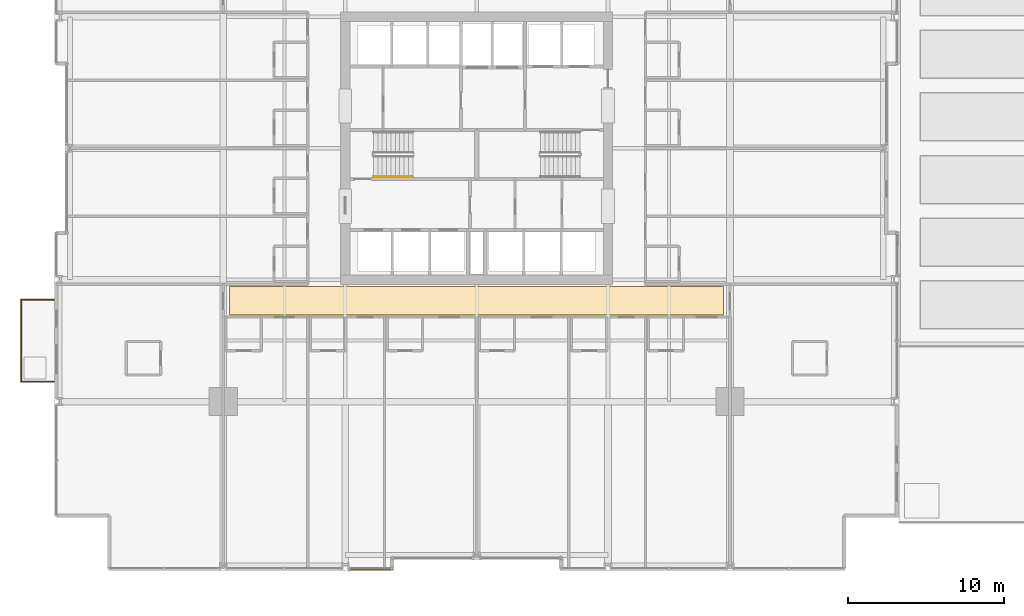
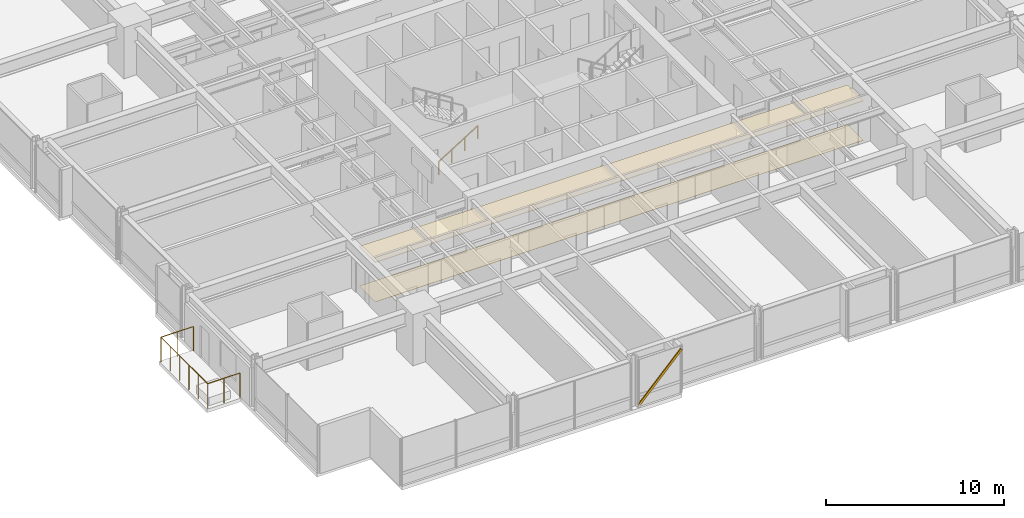
# One storey, part 38 of 42: 2 coverings, 2 railings, 1 shading device.
"""IFC4 building model written with IfcOpenShell, lengths in metres."""

from ifc_helpers import new_model, si_unit, direction, frame, origin, origin_2d, place, context, subcontext, project, spatial, polyline, hollow_rectangle, circle, outline, extrude, material, layer, layer_set, material_profile, profile_set, type_object, element, save


model = new_model("IFC4")

# Units and contexts
model_context = context("Model", 3, precision=1e-05, world=origin(), true_north=direction((0.0, 1.0)))
body_context = subcontext(model_context, "Body", "Model", "MODEL_VIEW")
ifc_project = project(units=[si_unit("LENGTHUNIT", "METRE"), si_unit("AREAUNIT", "SQUARE_METRE"), si_unit("VOLUMEUNIT", "CUBIC_METRE"), si_unit("PLANEANGLEUNIT", "RADIAN"), si_unit("MASSUNIT", "GRAM", prefix="KILO")], contexts=[model_context])

# Site, building, storey
site_placement = place(None, origin())
site = spatial("IfcSite", under=ifc_project, at=site_placement, CompositionType="ELEMENT")
building_placement = place(site_placement, origin())
building = spatial("IfcBuilding", under=site, at=building_placement, Name="Drelvath Grand Hotel", CompositionType="ELEMENT")
storey_placement = place(building_placement, frame((0.0, 0.0, 33.199951171875)))
storey = spatial("IfcBuildingStorey", under=building, at=storey_placement, Name="L06", CompositionType="ELEMENT", Elevation=33.199951171875)

# Railing
ifc_material_1 = material(Name="Painted Steel S275", Category="steel")
railing_type_1 = type_object("IfcRailingType", Name="Core Stair Wall Handrail 900", PredefinedType="HANDRAIL", material=ifc_material_1)
railing_1_placement = place(storey_placement, frame((-6.60009765625, 25.169921875, 0.175048828125)))
element("IfcRailing", 1, at=railing_1_placement, inside=storey, type_object=railing_type_1, Name="L06 ST-1 stair handrail 1", PredefinedType="HANDRAIL", context=body_context, shape_type="SweptSolid", body=[
    extrude(circle(Radius=0.02392578125, at=origin_2d()), frame((0.0, 0.0, 0.8759765625), z_axis=(0.848007534815, 0.0, 0.529984170421), x_axis=(0.0, 1.0, 0.0)), (0.0, 0.0, 1.0), 2.9716796875),
    extrude(circle(Radius=0.02099609375, at=origin_2d()), origin(), (0.0, 0.0, 1.0), 0.851806640625),
    extrude(circle(Radius=0.02099609375, at=origin_2d()), frame((0.840087890625, 0.0, 0.52490234375)), (0.0, 0.0, 1.0), 0.851806640625),
    extrude(circle(Radius=0.02099609375, at=origin_2d()), frame((1.679931640625, 0.0, 1.050048828125)), (0.0, 0.0, 1.0), 0.851806640625),
    extrude(circle(Radius=0.02099609375, at=origin_2d()), frame((2.52001953125, 0.0, 1.574951171875)), (0.0, 0.0, 1.0), 0.851806640625),
])

# Shading device
ifc_material_2 = material(Name="Warm Bronze Anodised Aluminium", Category="aluminium")
ifc_material_profile = material_profile(ifc_material_2, hollow_rectangle(XDim=0.06494140625, YDim=0.159912109375, WallThickness=0.00390625, at=origin_2d()), Name="HSS160X65X4")
ifc_profile_set = profile_set([ifc_material_profile], Name="Warm Bronze Anodised Aluminium")
shading_device_type = type_object("IfcShadingDeviceType", Name="Diagonal Solar Fin Warm Bronze Anodised HSS160X65X4", PredefinedType="USERDEFINED", material=ifc_profile_set)
shading_device_placement = place(storey_placement, frame((-8.1591796875, 0.0400390625, 0.179931640625), z_axis=(0.691795011039, 0.0, 0.722093943128), x_axis=(0.0, 1.0, 0.0)))
element("IfcShadingDevice", 2, at=shading_device_placement, inside=storey, type_object=shading_device_type, Name="L06 Diagonal Anodised Fin CW02-L06-SW3", ObjectType="FIN", PredefinedType="USERDEFINED", context=body_context, shape_type="SweptSolid", body=[
    extrude(hollow_rectangle(XDim=0.06494140625, YDim=0.159912109375, WallThickness=0.00390625, at=origin_2d()), origin(), (0.0, 0.0, 1.0), 3.988525390625),
])

# Coverings
ifc_material_3 = material(Name="Woven Wool Broadloom Carpet")
ifc_layer_1 = layer(ifc_material_3, 0.01806640625)
ifc_layer_set_1 = layer_set([ifc_layer_1], Name="Woven Wool Broadloom Carpet")
covering_type_1 = type_object("IfcCoveringType", Name="Hospitality Broadloom Carpet 18", PredefinedType="FLOORING", material=ifc_layer_set_1)
covering_1_placement = place(storey_placement, origin())
element("IfcCovering", 3, at=covering_1_placement, inside=storey, type_object=covering_type_1, Name="L06 Corridor Broadloom Carpet", PredefinedType="FLOORING", context=body_context, shape_type="SweptSolid", body=[
    extrude(outline(polyline([(15.800048828125, 16.35009765625), (15.800048828125, 18.14990234375), (-15.800048828125, 18.14990234375), (-15.800048828125, 16.35009765625), (15.800048828125, 16.35009765625)])), origin(), (0.0, 0.0, 1.0), 0.01806640625),
])
ifc_material_4 = material(Name="Anodised Aluminium Alloy", Category="aluminium")
ifc_layer_2 = layer(ifc_material_4, 0.0400390625)
ifc_layer_set_2 = layer_set([ifc_layer_2], Name="Anodised Aluminium Alloy")
covering_type_2 = type_object("IfcCoveringType", Name="Perforated Metal Corridor Ceiling 40", PredefinedType="CEILING", material=ifc_layer_set_2)
covering_2_placement = place(storey_placement, frame((0.0, 0.0, 2.68994140625)))
element("IfcCovering", 4, at=covering_2_placement, inside=storey, type_object=covering_type_2, Name="L06 Corridor Acoustic Ceiling", PredefinedType="CEILING", context=body_context, shape_type="SweptSolid", body=[
    extrude(outline(polyline([(15.800048828125, 16.35009765625), (15.800048828125, 18.14990234375), (-15.800048828125, 18.14990234375), (-15.800048828125, 16.35009765625), (15.800048828125, 16.35009765625)])), origin(), (0.0, 0.0, 1.0), 0.0400390625),
])

# Railing
ifc_material_5 = material(Name="Anodised Aluminium and Laminated Glass Balustrade", Category="aluminium")
railing_type_2 = type_object("IfcRailingType", Name="Raised Planter Edge Balustrade 1700", PredefinedType="BALUSTRADE", material=ifc_material_5)
railing_2_placement = place(storey_placement, frame((-27.02001953125, 12.080078125, 0.0)))
element("IfcRailing", 5, at=railing_2_placement, inside=storey, type_object=railing_type_2, Name="L06 Tree Balcony Perimeter Balustrade 1", PredefinedType="BALUSTRADE", context=body_context, shape_type="SweptSolid", body=[
    extrude(circle(Radius=0.02392578125, at=origin_2d()), frame((0.0, 0.0, 1.67578125), z_axis=(-1.0, 0.0, 0.0), x_axis=(0.0, -1.0, 0.0)), (0.0, 0.0, 1.0), 2.10009765625),
    extrude(circle(Radius=0.02392578125, at=origin_2d()), frame((-2.10009765625, 0.0, 1.67578125), z_axis=(0.0, 1.0, 0.0), x_axis=(-1.0, 0.0, 0.0)), (0.0, 0.0, 1.0), 5.239990234375),
    extrude(circle(Radius=0.02392578125, at=origin_2d()), frame((-2.10009765625, 5.239990234375, 1.67578125), z_axis=(1.0, 0.0, 0.0), x_axis=(0.0, 1.0, 0.0)), (0.0, 0.0, 1.0), 2.10009765625),
    extrude(circle(Radius=0.02099609375, at=origin_2d()), origin(), (0.0, 0.0, 1.0), 1.65185546875),
    extrude(circle(Radius=0.02099609375, at=origin_2d()), frame((-1.050048828125, 0.0, 0.0)), (0.0, 0.0, 1.0), 1.65185546875),
    extrude(circle(Radius=0.02099609375, at=origin_2d()), frame((-2.10009765625, 0.0, 0.0)), (0.0, 0.0, 1.0), 1.65185546875),
    extrude(circle(Radius=0.02099609375, at=origin_2d()), frame((-2.10009765625, 1.048095703125, 0.0)), (0.0, 0.0, 1.0), 1.65185546875),
    extrude(circle(Radius=0.02099609375, at=origin_2d()), frame((-2.10009765625, 2.095947265625, 0.0)), (0.0, 0.0, 1.0), 1.65185546875),
    extrude(circle(Radius=0.02099609375, at=origin_2d()), frame((-2.10009765625, 3.14404296875, 0.0)), (0.0, 0.0, 1.0), 1.65185546875),
    extrude(circle(Radius=0.02099609375, at=origin_2d()), frame((-2.10009765625, 4.19189453125, 0.0)), (0.0, 0.0, 1.0), 1.65185546875),
    extrude(circle(Radius=0.02099609375, at=origin_2d()), frame((-2.10009765625, 5.239990234375, 0.0)), (0.0, 0.0, 1.0), 1.65185546875),
    extrude(circle(Radius=0.02099609375, at=origin_2d()), frame((-1.050048828125, 5.239990234375, 0.0)), (0.0, 0.0, 1.0), 1.65185546875),
    extrude(circle(Radius=0.02099609375, at=origin_2d()), frame((0.0, 5.239990234375, 0.0)), (0.0, 0.0, 1.0), 1.65185546875),
])

save(model, "model.ifc")
